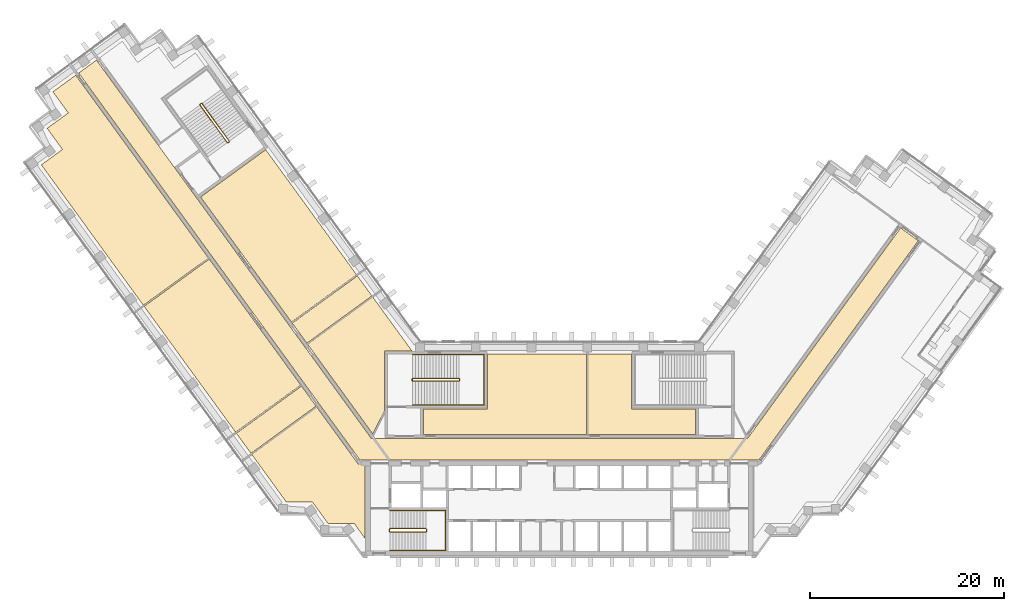
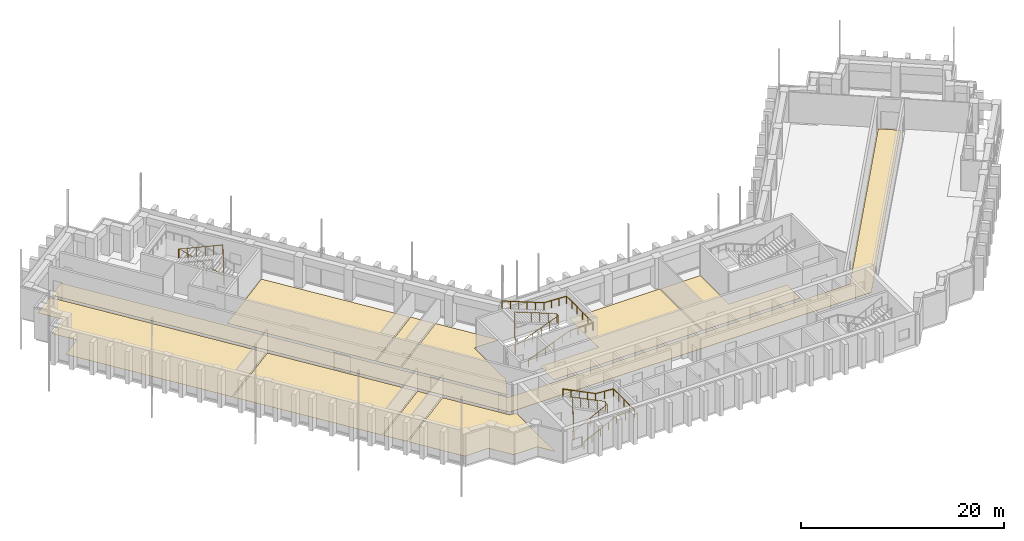
# One storey, part 15 of 16: 10 coverings, 5 railings.
"""IFC4 building model written with IfcOpenShell, lengths in metres."""

from ifc_helpers import new_model, si_unit, direction, frame, origin, origin_2d, place, context, subcontext, project, spatial, polyline, circle, outline, extrude, material, layer, layer_set, type_object, element, save


model = new_model("IFC4")

# Units and contexts
model_context = context("Model", 3, precision=1e-05, world=origin(), true_north=direction((0.0, 1.0)))
body_context = subcontext(model_context, "Body", "Model", "MODEL_VIEW")
ifc_project = project(units=[si_unit("LENGTHUNIT", "METRE"), si_unit("AREAUNIT", "SQUARE_METRE"), si_unit("VOLUMEUNIT", "CUBIC_METRE"), si_unit("PLANEANGLEUNIT", "RADIAN"), si_unit("MASSUNIT", "GRAM", prefix="KILO")], contexts=[model_context])

# Site, building, storey
site_placement = place(None, origin())
site = spatial("IfcSite", under=ifc_project, at=site_placement, CompositionType="ELEMENT")
building_placement = place(site_placement, origin())
building = spatial("IfcBuilding", under=site, at=building_placement, Name="Quipu Civic Tower", CompositionType="ELEMENT")
storey_placement = place(building_placement, frame((0.0, 0.0, 89.0)))
storey = spatial("IfcBuildingStorey", under=building, at=storey_placement, Name="L20", CompositionType="ELEMENT", Elevation=89.0)

# Coverings
ifc_material_1 = material(Name="Carpet tile on raised access floor")
ifc_layer_1 = layer(ifc_material_1, 0.02001953125)
ifc_layer_set_1 = layer_set([ifc_layer_1], Name="Carpet tile on raised access floor")
covering_type_1 = type_object("IfcCoveringType", Name="Carpet tile floor finish 20", PredefinedType="FLOORING", material=ifc_layer_set_1)
covering_1_placement = place(storey_placement, origin())
element("IfcCovering", 1, at=covering_1_placement, inside=storey, type_object=covering_type_1, Name="Carpet tile floor finish 20", PredefinedType="FLOORING", context=body_context, shape_type="SweptSolid", body=[
    extrude(outline(polyline([(2.948974609375, 1.52001953125), (2.948974609375, 9.830078125), (7.429931640625, 9.830078125), (7.430908203125, 4.179931640625), (14.030029296875, 4.179931640625), (14.030029296875, 1.52001953125), (2.948974609375, 1.52001953125)])), origin(), (0.0, 0.0, 1.0), 0.02001953125),
])
covering_2_placement = place(storey_placement, origin())
element("IfcCovering", 2, at=covering_2_placement, inside=storey, type_object=covering_type_1, Name="Carpet tile floor finish 20", PredefinedType="FLOORING", context=body_context, shape_type="SweptSolid", body=[
    extrude(outline(polyline([(-25.990966796875, 10.8330078125), (-19.26806640625, 15.716064453125), (-15.238037109375, 10.169921875), (-18.070068359375, 10.1689453125), (-18.070068359375, 3.94189453125), (-19.27197265625, 1.583984375), (-25.990966796875, 10.8330078125)])), origin(), (0.0, 0.0, 1.0), 0.02001953125),
])
covering_3_placement = place(storey_placement, origin())
element("IfcCovering", 3, at=covering_3_placement, inside=storey, type_object=covering_type_1, Name="Carpet tile floor finish 20", PredefinedType="FLOORING", context=body_context, shape_type="SweptSolid", body=[
    extrude(outline(polyline([(-31.758056640625, -0.5390625), (-25.034912109375, 4.344970703125), (-20.77490234375, -1.51904296875), (-20.070068359375, -1.52001953125), (-20.070068359375, -9.195068359375), (-21.196044921875, -7.64599609375), (-21.6630859375, -7.64599609375), (-21.666015625, -7.64404296875), (-21.669921875, -7.64111328125), (-21.675048828125, -7.639892578125), (-21.679931640625, -7.637939453125), (-21.68408203125, -7.636962890625), (-21.68896484375, -7.636962890625), (-21.694091796875, -7.635986328125), (-21.698974609375, -7.636962890625), (-21.7041015625, -7.637939453125), (-21.708984375, -7.638916015625), (-21.712890625, -7.64111328125), (-21.718017578125, -7.64306640625), (-21.721923828125, -7.64599609375), (-21.721923828125, -7.64599609375), (-23.89501953125, -7.64599609375), (-25.48193359375, -5.4619140625), (-28.181884765625, -5.4609375), (-31.758056640625, -0.5390625)])), origin(), (0.0, 0.0, 1.0), 0.02001953125),
])
covering_4_placement = place(storey_placement, origin())
element("IfcCovering", 4, at=covering_4_placement, inside=storey, type_object=covering_type_1, Name="Carpet tile floor finish 20", PredefinedType="FLOORING", context=body_context, shape_type="SweptSolid", body=[
    extrude(outline(polyline([(-53.47998046875, 29.35791015625), (-51.297119140625, 30.945068359375), (-52.883056640625, 33.12890625), (-50.698974609375, 34.717041015625), (-52.284912109375, 36.90087890625), (-49.930908203125, 38.611083984375), (-36.22705078125, 19.748046875), (-42.950927734375, 14.864990234375), (-53.47998046875, 29.35791015625)])), origin(), (0.0, 0.0, 1.0), 0.02001953125),
])
covering_5_placement = place(storey_placement, origin())
element("IfcCovering", 5, at=covering_5_placement, inside=storey, type_object=covering_type_1, Name="Carpet tile floor finish 20", PredefinedType="FLOORING", context=body_context, shape_type="SweptSolid", body=[
    extrude(outline(polyline([(-14.030029296875, 1.52001953125), (-14.030029296875, 4.179931640625), (-7.429931640625, 4.180908203125), (-7.429931640625, 9.830078125), (2.80908203125, 9.830078125), (2.80908203125, 1.52001953125), (-14.030029296875, 1.52001953125)])), origin(), (0.0, 0.0, 1.0), 0.02001953125),
])
covering_6_placement = place(storey_placement, origin())
element("IfcCovering", 6, at=covering_6_placement, inside=storey, type_object=covering_type_1, Name="Carpet tile floor finish 20", PredefinedType="FLOORING", context=body_context, shape_type="SweptSolid", body=[
    extrude(outline(polyline([(-37.0380859375, 26.0380859375), (-30.31494140625, 30.922119140625), (-20.93798828125, 18.013916015625), (-27.660888671875, 13.1298828125), (-37.0380859375, 26.0380859375)])), origin(), (0.0, 0.0, 1.0), 0.02001953125),
])
covering_7_placement = place(storey_placement, origin())
element("IfcCovering", 7, at=covering_7_placement, inside=storey, type_object=covering_type_1, Name="Carpet tile floor finish 20", PredefinedType="FLOORING", context=body_context, shape_type="SweptSolid", body=[
    extrude(outline(polyline([(-42.867919921875, 14.751953125), (-36.14404296875, 19.635009765625), (-26.705078125, 6.64208984375), (-33.427978515625, 1.758056640625), (-42.867919921875, 14.751953125)])), origin(), (0.0, 0.0, 1.0), 0.02001953125),
])
ifc_material_2 = material(Name="Ceramic floor tile")
ifc_layer_2 = layer(ifc_material_2, 0.030029296875)
ifc_layer_set_2 = layer_set([ifc_layer_2], Name="Ceramic floor tile")
covering_type_2 = type_object("IfcCoveringType", Name="Ceramic tile floor finish 30", PredefinedType="FLOORING", material=ifc_layer_set_2)
covering_8_placement = place(storey_placement, origin())
element("IfcCovering", 8, at=covering_8_placement, inside=storey, type_object=covering_type_2, Name="Ceramic tile floor finish 30", PredefinedType="FLOORING", context=body_context, shape_type="SweptSolid", body=[
    extrude(outline(polyline([(-27.577880859375, 13.01708984375), (-20.85498046875, 17.90087890625), (-19.35107421875, 15.8291015625), (-26.073974609375, 10.946044921875), (-27.577880859375, 13.01708984375)])), origin(), (0.0, 0.0, 1.0), 0.030029296875),
])
covering_9_placement = place(storey_placement, origin())
element("IfcCovering", 9, at=covering_9_placement, inside=storey, type_object=covering_type_2, Name="Ceramic tile floor finish 30", PredefinedType="FLOORING", context=body_context, shape_type="SweptSolid", body=[
    extrude(outline(polyline([(-33.344970703125, 1.64501953125), (-26.6220703125, 6.529052734375), (-25.117919921875, 4.4580078125), (-31.841064453125, -0.426025390625), (-33.344970703125, 1.64501953125)])), origin(), (0.0, 0.0, 1.0), 0.030029296875),
])

# Railings
ifc_material_3 = material(Name="Stainless steel", Category="steel")
railing_type_1 = type_object("IfcRailingType", Name="Stair guard 1100", PredefinedType="GUARDRAIL", material=ifc_material_3)
railing_1_placement = place(storey_placement, frame((-17.5, -8.550048828125, 0.15380859375)))
element("IfcRailing", 10, at=railing_1_placement, inside=storey, type_object=railing_type_1, Name="Stair 1 guard", PredefinedType="GUARDRAIL", context=body_context, shape_type="SweptSolid", body=[
    extrude(circle(Radius=0.02392578125, at=origin_2d()), frame((0.0, 0.0, 1.076171875), z_axis=(0.895751851347, 0.0, 0.444554407028), x_axis=(0.0, 1.0, 0.0)), (0.0, 0.0, 1.0), 4.15283203125),
    extrude(circle(Radius=0.02392578125, at=origin_2d()), frame((3.719970703125, 0.0, 2.92236328125), z_axis=(0.707106781187, 0.707106781187, 0.0), x_axis=(-0.707106781187, 0.707106781187, 0.0)), (0.0, 0.0, 1.0), 0.07080078125),
    extrude(circle(Radius=0.02392578125, at=origin_2d()), frame((3.77001953125, 0.050048828125, 2.92236328125), z_axis=(0.0, 1.0, 0.0), x_axis=(-1.0, 0.0, 0.0)), (0.0, 0.0, 1.0), 0.25),
    extrude(circle(Radius=0.02392578125, at=origin_2d()), frame((3.77001953125, 0.300048828125, 2.92236328125), z_axis=(-0.295599637079, 0.295599637079, 0.908428152975), x_axis=(-0.707106781187, -0.707106781187, 0.0)), (0.0, 0.0, 1.0), 0.16943359375),
    extrude(circle(Radius=0.02392578125, at=origin_2d()), frame((3.719970703125, 0.35009765625, 3.076171875), z_axis=(-0.895751851347, 0.0, 0.444554407028), x_axis=(0.0, -1.0, 0.0)), (0.0, 0.0, 1.0), 4.15283203125),
    extrude(circle(Radius=0.02392578125, at=origin_2d()), frame((0.0, 0.35009765625, 4.92236328125), z_axis=(-0.012476181752, -0.074796231092, -0.997120789425), x_axis=(0.986372223864, -0.164529134168, 0.0)), (0.0, 0.0, 1.0), 4.011474609375),
    extrude(circle(Radius=0.02392578125, at=origin_2d()), frame((-0.050048828125, 0.050048828125, 0.92236328125), z_axis=(0.0, 1.0, 0.0), x_axis=(-1.0, 0.0, 0.0)), (0.0, 0.0, 1.0), 0.25),
    extrude(circle(Radius=0.02099609375, at=origin_2d()), origin(), (0.0, 0.0, 1.0), 1.052001953125),
    extrude(circle(Radius=0.02099609375, at=origin_2d()), frame((0.929931640625, 0.0, 0.46142578125)), (0.0, 0.0, 1.0), 1.052001953125),
    extrude(circle(Radius=0.02099609375, at=origin_2d()), frame((1.85986328125, 0.0, 0.923095703125)), (0.0, 0.0, 1.0), 1.052001953125),
    extrude(circle(Radius=0.02099609375, at=origin_2d()), frame((2.7900390625, 0.0, 1.384765625)), (0.0, 0.0, 1.0), 1.052001953125),
    extrude(circle(Radius=0.02099609375, at=origin_2d()), frame((3.719970703125, 0.0, 1.84619140625)), (0.0, 0.0, 1.0), 1.052001953125),
    extrude(circle(Radius=0.02099609375, at=origin_2d()), frame((3.77001953125, 0.050048828125, 1.84619140625)), (0.0, 0.0, 1.0), 1.052001953125),
    extrude(circle(Radius=0.02099609375, at=origin_2d()), frame((3.77001953125, 0.300048828125, 1.84619140625)), (0.0, 0.0, 1.0), 1.052001953125),
    extrude(circle(Radius=0.02099609375, at=origin_2d()), frame((3.719970703125, 0.35009765625, 2.0)), (0.0, 0.0, 1.0), 1.052001953125),
    extrude(circle(Radius=0.02099609375, at=origin_2d()), frame((2.7900390625, 0.35009765625, 2.46142578125)), (0.0, 0.0, 1.0), 1.052001953125),
    extrude(circle(Radius=0.02099609375, at=origin_2d()), frame((1.85986328125, 0.35009765625, 2.923095703125)), (0.0, 0.0, 1.0), 1.052001953125),
    extrude(circle(Radius=0.02099609375, at=origin_2d()), frame((0.929931640625, 0.35009765625, 3.384765625)), (0.0, 0.0, 1.0), 1.052001953125),
    extrude(circle(Radius=0.02099609375, at=origin_2d()), frame((0.0, 0.35009765625, 3.84619140625)), (0.0, 0.0, 1.0), 1.052001953125),
    extrude(circle(Radius=0.02099609375, at=origin_2d()), frame((-0.012451171875, 0.275146484375, 2.84619140625)), (0.0, 0.0, 1.0), 1.052001953125),
    extrude(circle(Radius=0.02099609375, at=origin_2d()), frame((-0.02490234375, 0.2001953125, 1.84619140625)), (0.0, 0.0, 1.0), 1.052001953125),
    extrude(circle(Radius=0.02099609375, at=origin_2d()), frame((-0.03759765625, 0.125, 0.84619140625)), (0.0, 0.0, 1.0), 1.052001953125),
    extrude(circle(Radius=0.02099609375, at=origin_2d()), frame((-0.050048828125, 0.050048828125, -0.15380859375)), (0.0, 0.0, 1.0), 1.052001953125),
    extrude(circle(Radius=0.02099609375, at=origin_2d()), frame((-0.050048828125, 0.300048828125, -0.15380859375)), (0.0, 0.0, 1.0), 1.052001953125),
])
railing_2_placement = place(storey_placement, frame((-15.14990234375, 7.050048828125, 0.11767578125)))
element("IfcRailing", 11, at=railing_2_placement, inside=storey, type_object=railing_type_1, Name="Stair 3 guard", PredefinedType="GUARDRAIL", context=body_context, shape_type="SweptSolid", body=[
    extrude(circle(Radius=0.02392578125, at=origin_2d()), frame((0.0, 0.0, 1.076171875), z_axis=(0.930970042603, 0.0, 0.365095576219), x_axis=(0.0, 1.0, 0.0)), (0.0, 0.0, 1.0), 5.15576171875),
    extrude(circle(Radius=0.02392578125, at=origin_2d()), frame((4.7998046875, 0.0, 2.95849609375), z_axis=(0.707106781187, 0.707106781187, 0.0), x_axis=(-0.707106781187, 0.707106781187, 0.0)), (0.0, 0.0, 1.0), 0.07080078125),
    extrude(circle(Radius=0.02392578125, at=origin_2d()), frame((4.849853515625, 0.050048828125, 2.95849609375), z_axis=(0.0, 1.0, 0.0), x_axis=(-1.0, 0.0, 0.0)), (0.0, 0.0, 1.0), 0.14990234375),
    extrude(circle(Radius=0.02392578125, at=origin_2d()), frame((4.849853515625, 0.199951171875, 2.95849609375), z_axis=(-0.364463019033, 0.364463019033, 0.856932561824), x_axis=(-0.707106781187, -0.707106781187, 0.0)), (0.0, 0.0, 1.0), 0.13720703125),
    extrude(circle(Radius=0.02392578125, at=origin_2d()), frame((4.7998046875, 0.25, 3.076171875), z_axis=(-0.930970042603, 0.0, 0.365095576219), x_axis=(0.0, -1.0, 0.0)), (0.0, 0.0, 1.0), 5.15576171875),
    extrude(circle(Radius=0.02392578125, at=origin_2d()), frame((0.0, 0.25, 4.95849609375), z_axis=(-0.012495627992, -0.049921557685, -0.998674970829), x_axis=(0.970072785993, -0.242814311512, 0.0)), (0.0, 0.0, 1.0), 4.00537109375),
    extrude(circle(Radius=0.02392578125, at=origin_2d()), frame((-0.050048828125, 0.050048828125, 0.95849609375), z_axis=(0.0, 1.0, 0.0), x_axis=(-1.0, 0.0, 0.0)), (0.0, 0.0, 1.0), 0.14990234375),
    extrude(circle(Radius=0.02099609375, at=origin_2d()), origin(), (0.0, 0.0, 1.0), 1.052001953125),
    extrude(circle(Radius=0.02099609375, at=origin_2d()), frame((0.9599609375, 0.0, 0.37646484375)), (0.0, 0.0, 1.0), 1.052001953125),
    extrude(circle(Radius=0.02099609375, at=origin_2d()), frame((1.919921875, 0.0, 0.7529296875)), (0.0, 0.0, 1.0), 1.052001953125),
    extrude(circle(Radius=0.02099609375, at=origin_2d()), frame((2.8798828125, 0.0, 1.12939453125)), (0.0, 0.0, 1.0), 1.052001953125),
    extrude(circle(Radius=0.02099609375, at=origin_2d()), frame((3.83984375, 0.0, 1.505859375)), (0.0, 0.0, 1.0), 1.052001953125),
    extrude(circle(Radius=0.02099609375, at=origin_2d()), frame((4.7998046875, 0.0, 1.88232421875)), (0.0, 0.0, 1.0), 1.052001953125),
    extrude(circle(Radius=0.02099609375, at=origin_2d()), frame((4.849853515625, 0.050048828125, 1.88232421875)), (0.0, 0.0, 1.0), 1.052001953125),
    extrude(circle(Radius=0.02099609375, at=origin_2d()), frame((4.849853515625, 0.199951171875, 1.88232421875)), (0.0, 0.0, 1.0), 1.052001953125),
    extrude(circle(Radius=0.02099609375, at=origin_2d()), frame((4.7998046875, 0.25, 2.0)), (0.0, 0.0, 1.0), 1.052001953125),
    extrude(circle(Radius=0.02099609375, at=origin_2d()), frame((3.83984375, 0.25, 2.37646484375)), (0.0, 0.0, 1.0), 1.052001953125),
    extrude(circle(Radius=0.02099609375, at=origin_2d()), frame((2.8798828125, 0.25, 2.7529296875)), (0.0, 0.0, 1.0), 1.052001953125),
    extrude(circle(Radius=0.02099609375, at=origin_2d()), frame((1.919921875, 0.25, 3.12939453125)), (0.0, 0.0, 1.0), 1.052001953125),
    extrude(circle(Radius=0.02099609375, at=origin_2d()), frame((0.9599609375, 0.25, 3.505859375)), (0.0, 0.0, 1.0), 1.052001953125),
    extrude(circle(Radius=0.02099609375, at=origin_2d()), frame((0.0, 0.25, 3.88232421875)), (0.0, 0.0, 1.0), 1.052001953125),
    extrude(circle(Radius=0.02099609375, at=origin_2d()), frame((-0.012451171875, 0.199951171875, 2.88232421875)), (0.0, 0.0, 1.0), 1.052001953125),
    extrude(circle(Radius=0.02099609375, at=origin_2d()), frame((-0.02490234375, 0.14990234375, 1.88232421875)), (0.0, 0.0, 1.0), 1.052001953125),
    extrude(circle(Radius=0.02099609375, at=origin_2d()), frame((-0.03759765625, 0.10009765625, 0.88232421875)), (0.0, 0.0, 1.0), 1.052001953125),
    extrude(circle(Radius=0.02099609375, at=origin_2d()), frame((-0.050048828125, 0.050048828125, -0.11767578125)), (0.0, 0.0, 1.0), 1.052001953125),
    extrude(circle(Radius=0.02099609375, at=origin_2d()), frame((-0.050048828125, 0.199951171875, -0.11767578125)), (0.0, 0.0, 1.0), 1.052001953125),
])
railing_3_placement = place(storey_placement, frame((-34.078857421875, 31.79736328125, 0.11767578125)))
element("IfcRailing", 12, at=railing_3_placement, inside=storey, type_object=railing_type_1, Name="Stair 6 guard", PredefinedType="GUARDRAIL", context=body_context, shape_type="SweptSolid", body=[
    extrude(circle(Radius=0.02392578125, at=origin_2d()), frame((0.0, 0.0, 1.076171875), z_axis=(-0.54720100349, 0.753182689643, 0.365084781664), x_axis=(-0.809026317077, -0.587772420479, 0.0)), (0.0, 0.0, 1.0), 5.15576171875),
    extrude(circle(Radius=0.02392578125, at=origin_2d()), frame((-2.8212890625, 3.88330078125, 2.95849609375), z_axis=(-0.987846838465, 0.155430446612, 0.0), x_axis=(-0.155430446612, -0.987846838465, 0.0)), (0.0, 0.0, 1.0), 0.07080078125),
    extrude(circle(Radius=0.02392578125, at=origin_2d()), frame((-2.89111328125, 3.894287109375, 2.95849609375), z_axis=(-0.809649071907, -0.586914287065, 0.0), x_axis=(0.586914287065, -0.809649071907, 0.0)), (0.0, 0.0, 1.0), 0.150146484375),
    extrude(circle(Radius=0.02392578125, at=origin_2d()), frame((-3.0126953125, 3.80615234375, 2.95849609375), z_axis=(-0.080033047627, -0.508654480474, 0.857242865693), x_axis=(0.987846838465, -0.155430446612, 0.0)), (0.0, 0.0, 1.0), 0.13720703125),
    extrude(circle(Radius=0.02392578125, at=origin_2d()), frame((-3.023681640625, 3.736328125, 3.076171875), z_axis=(0.54720100349, -0.753182689643, 0.365084781664), x_axis=(0.809026317077, 0.587772420479, 0.0)), (0.0, 0.0, 1.0), 5.15576171875),
    extrude(circle(Radius=0.02392578125, at=origin_2d()), frame((-0.202392578125, -0.14697265625, 4.95849609375), z_axis=(0.047788004556, 0.019261491632, -0.998671768681), x_axis=(-0.373837031195, 0.92749440651, 0.0)), (0.0, 0.0, 1.0), 4.00537109375),
    extrude(circle(Radius=0.02392578125, at=origin_2d()), frame((-0.010986328125, -0.06982421875, 0.95849609375), z_axis=(-0.809087927272, -0.587687609145, 0.0), x_axis=(0.587687609145, -0.809087927272, 0.0)), (0.0, 0.0, 1.0), 0.14990234375),
    extrude(circle(Radius=0.02099609375, at=origin_2d()), origin(), (0.0, 0.0, 1.0), 1.052001953125),
    extrude(circle(Radius=0.02099609375, at=origin_2d()), frame((-0.564208984375, 0.776611328125, 0.37646484375)), (0.0, 0.0, 1.0), 1.052001953125),
    extrude(circle(Radius=0.02099609375, at=origin_2d()), frame((-1.12841796875, 1.55322265625, 0.7529296875)), (0.0, 0.0, 1.0), 1.052001953125),
    extrude(circle(Radius=0.02099609375, at=origin_2d()), frame((-1.69287109375, 2.330078125, 1.12939453125)), (0.0, 0.0, 1.0), 1.052001953125),
    extrude(circle(Radius=0.02099609375, at=origin_2d()), frame((-2.257080078125, 3.106689453125, 1.505859375)), (0.0, 0.0, 1.0), 1.052001953125),
    extrude(circle(Radius=0.02099609375, at=origin_2d()), frame((-2.8212890625, 3.88330078125, 1.88232421875)), (0.0, 0.0, 1.0), 1.052001953125),
    extrude(circle(Radius=0.02099609375, at=origin_2d()), frame((-2.89111328125, 3.894287109375, 1.88232421875)), (0.0, 0.0, 1.0), 1.052001953125),
    extrude(circle(Radius=0.02099609375, at=origin_2d()), frame((-3.0126953125, 3.80615234375, 1.88232421875)), (0.0, 0.0, 1.0), 1.052001953125),
    extrude(circle(Radius=0.02099609375, at=origin_2d()), frame((-3.023681640625, 3.736328125, 2.0)), (0.0, 0.0, 1.0), 1.052001953125),
    extrude(circle(Radius=0.02099609375, at=origin_2d()), frame((-2.45947265625, 2.959716796875, 2.37646484375)), (0.0, 0.0, 1.0), 1.052001953125),
    extrude(circle(Radius=0.02099609375, at=origin_2d()), frame((-1.895263671875, 2.18310546875, 2.7529296875)), (0.0, 0.0, 1.0), 1.052001953125),
    extrude(circle(Radius=0.02099609375, at=origin_2d()), frame((-1.330810546875, 1.40625, 3.12939453125)), (0.0, 0.0, 1.0), 1.052001953125),
    extrude(circle(Radius=0.02099609375, at=origin_2d()), frame((-0.7666015625, 0.629638671875, 3.505859375)), (0.0, 0.0, 1.0), 1.052001953125),
    extrude(circle(Radius=0.02099609375, at=origin_2d()), frame((-0.202392578125, -0.14697265625, 3.88232421875)), (0.0, 0.0, 1.0), 1.052001953125),
    extrude(circle(Radius=0.02099609375, at=origin_2d()), frame((-0.154541015625, -0.127685546875, 2.88232421875)), (0.0, 0.0, 1.0), 1.052001953125),
    extrude(circle(Radius=0.02099609375, at=origin_2d()), frame((-0.106689453125, -0.1083984375, 1.88232421875)), (0.0, 0.0, 1.0), 1.052001953125),
    extrude(circle(Radius=0.02099609375, at=origin_2d()), frame((-0.058837890625, -0.089111328125, 0.88232421875)), (0.0, 0.0, 1.0), 1.052001953125),
    extrude(circle(Radius=0.02099609375, at=origin_2d()), frame((-0.010986328125, -0.06982421875, -0.11767578125)), (0.0, 0.0, 1.0), 1.052001953125),
    extrude(circle(Radius=0.02099609375, at=origin_2d()), frame((-0.13232421875, -0.157958984375, -0.11767578125)), (0.0, 0.0, 1.0), 1.052001953125),
])
ifc_material_4 = material(Name="Stainless steel", Category="steel")
railing_type_2 = type_object("IfcRailingType", Name="Stair handrail", PredefinedType="HANDRAIL", material=ifc_material_4)
railing_4_placement = place(storey_placement, frame((-17.5, -10.449951171875, 0.15380859375)))
element("IfcRailing", 13, at=railing_4_placement, inside=storey, type_object=railing_type_2, Name="Stair 1 handrail", PredefinedType="HANDRAIL", context=body_context, shape_type="SweptSolid", body=[
    extrude(circle(Radius=0.02392578125, at=origin_2d()), frame((0.0, 0.0, 0.8759765625), z_axis=(0.895751851347, 0.0, 0.444554407028), x_axis=(0.0, 1.0, 0.0)), (0.0, 0.0, 1.0), 4.15283203125),
    extrude(circle(Radius=0.02392578125, at=origin_2d()), frame((3.719970703125, 0.0, 2.72216796875), z_axis=(1.0, 0.0, 0.0), x_axis=(0.0, 1.0, 0.0)), (0.0, 0.0, 1.0), 2.030029296875),
    extrude(circle(Radius=0.02392578125, at=origin_2d()), frame((5.75, 0.0, 2.72216796875), z_axis=(0.0, 1.0, 0.0), x_axis=(-1.0, 0.0, 0.0)), (0.0, 0.0, 1.0), 4.14990234375),
    extrude(circle(Radius=0.02392578125, at=origin_2d()), frame((5.75, 4.14990234375, 2.72216796875), z_axis=(-0.997142003663, 0.0, 0.075550145798), x_axis=(0.0, -1.0, 0.0)), (0.0, 0.0, 1.0), 2.035888671875),
    extrude(circle(Radius=0.02392578125, at=origin_2d()), frame((3.719970703125, 4.14990234375, 2.8759765625), z_axis=(-0.895751851347, 0.0, 0.444554407028), x_axis=(0.0, -1.0, 0.0)), (0.0, 0.0, 1.0), 4.15283203125),
    extrude(circle(Radius=0.02099609375, at=origin_2d()), origin(), (0.0, 0.0, 1.0), 0.851806640625),
    extrude(circle(Radius=0.02099609375, at=origin_2d()), frame((0.929931640625, 0.0, 0.46142578125)), (0.0, 0.0, 1.0), 0.851806640625),
    extrude(circle(Radius=0.02099609375, at=origin_2d()), frame((1.85986328125, 0.0, 0.923095703125)), (0.0, 0.0, 1.0), 0.851806640625),
    extrude(circle(Radius=0.02099609375, at=origin_2d()), frame((2.7900390625, 0.0, 1.384765625)), (0.0, 0.0, 1.0), 0.851806640625),
    extrude(circle(Radius=0.02099609375, at=origin_2d()), frame((3.719970703125, 0.0, 1.84619140625)), (0.0, 0.0, 1.0), 0.851806640625),
    extrude(circle(Radius=0.02099609375, at=origin_2d()), frame((4.73486328125, 0.0, 1.84619140625)), (0.0, 0.0, 1.0), 0.851806640625),
    extrude(circle(Radius=0.02099609375, at=origin_2d()), frame((5.75, 0.0, 1.84619140625)), (0.0, 0.0, 1.0), 0.851806640625),
    extrude(circle(Radius=0.02099609375, at=origin_2d()), frame((5.75, 1.03759765625, 1.84619140625)), (0.0, 0.0, 1.0), 0.851806640625),
    extrude(circle(Radius=0.02099609375, at=origin_2d()), frame((5.75, 2.074951171875, 1.84619140625)), (0.0, 0.0, 1.0), 0.851806640625),
    extrude(circle(Radius=0.02099609375, at=origin_2d()), frame((5.75, 3.1123046875, 1.84619140625)), (0.0, 0.0, 1.0), 0.851806640625),
    extrude(circle(Radius=0.02099609375, at=origin_2d()), frame((5.75, 4.14990234375, 1.84619140625)), (0.0, 0.0, 1.0), 0.851806640625),
    extrude(circle(Radius=0.02099609375, at=origin_2d()), frame((4.73486328125, 4.14990234375, 1.923095703125)), (0.0, 0.0, 1.0), 0.851806640625),
    extrude(circle(Radius=0.02099609375, at=origin_2d()), frame((3.719970703125, 4.14990234375, 2.0)), (0.0, 0.0, 1.0), 0.851806640625),
    extrude(circle(Radius=0.02099609375, at=origin_2d()), frame((2.7900390625, 4.14990234375, 2.46142578125)), (0.0, 0.0, 1.0), 0.851806640625),
    extrude(circle(Radius=0.02099609375, at=origin_2d()), frame((1.85986328125, 4.14990234375, 2.923095703125)), (0.0, 0.0, 1.0), 0.851806640625),
    extrude(circle(Radius=0.02099609375, at=origin_2d()), frame((0.929931640625, 4.14990234375, 3.384765625)), (0.0, 0.0, 1.0), 0.851806640625),
    extrude(circle(Radius=0.02099609375, at=origin_2d()), frame((0.0, 4.14990234375, 3.84619140625)), (0.0, 0.0, 1.0), 0.851806640625),
])
railing_5_placement = place(storey_placement, frame((-15.14990234375, 4.550048828125, 0.11767578125)))
element("IfcRailing", 14, at=railing_5_placement, inside=storey, type_object=railing_type_2, Name="Stair 3 handrail", PredefinedType="HANDRAIL", context=body_context, shape_type="SweptSolid", body=[
    extrude(circle(Radius=0.02392578125, at=origin_2d()), frame((0.0, 0.0, 0.8759765625), z_axis=(0.930970042603, 0.0, 0.365095576219), x_axis=(0.0, 1.0, 0.0)), (0.0, 0.0, 1.0), 5.15576171875),
    extrude(circle(Radius=0.02392578125, at=origin_2d()), frame((4.7998046875, 0.0, 2.75830078125), z_axis=(1.0, 0.0, 0.0), x_axis=(0.0, 1.0, 0.0)), (0.0, 0.0, 1.0), 2.550048828125),
    extrude(circle(Radius=0.02392578125, at=origin_2d()), frame((7.349853515625, 0.0, 2.75830078125), z_axis=(0.0, 1.0, 0.0), x_axis=(-1.0, 0.0, 0.0)), (0.0, 0.0, 1.0), 5.25),
    extrude(circle(Radius=0.02392578125, at=origin_2d()), frame((7.349853515625, 5.25, 2.75830078125), z_axis=(-0.998936948642, 0.0, 0.04609742549), x_axis=(0.0, -1.0, 0.0)), (0.0, 0.0, 1.0), 2.552734375),
    extrude(circle(Radius=0.02392578125, at=origin_2d()), frame((4.7998046875, 5.25, 2.8759765625), z_axis=(-0.930970042603, 0.0, 0.365095576219), x_axis=(0.0, -1.0, 0.0)), (0.0, 0.0, 1.0), 5.15576171875),
    extrude(circle(Radius=0.02099609375, at=origin_2d()), origin(), (0.0, 0.0, 1.0), 0.851806640625),
    extrude(circle(Radius=0.02099609375, at=origin_2d()), frame((0.9599609375, 0.0, 0.37646484375)), (0.0, 0.0, 1.0), 0.851806640625),
    extrude(circle(Radius=0.02099609375, at=origin_2d()), frame((1.919921875, 0.0, 0.7529296875)), (0.0, 0.0, 1.0), 0.851806640625),
    extrude(circle(Radius=0.02099609375, at=origin_2d()), frame((2.8798828125, 0.0, 1.12939453125)), (0.0, 0.0, 1.0), 0.851806640625),
    extrude(circle(Radius=0.02099609375, at=origin_2d()), frame((3.83984375, 0.0, 1.505859375)), (0.0, 0.0, 1.0), 0.851806640625),
    extrude(circle(Radius=0.02099609375, at=origin_2d()), frame((4.7998046875, 0.0, 1.88232421875)), (0.0, 0.0, 1.0), 0.851806640625),
    extrude(circle(Radius=0.02099609375, at=origin_2d()), frame((5.64990234375, 0.0, 1.88232421875)), (0.0, 0.0, 1.0), 0.851806640625),
    extrude(circle(Radius=0.02099609375, at=origin_2d()), frame((6.499755859375, 0.0, 1.88232421875)), (0.0, 0.0, 1.0), 0.851806640625),
    extrude(circle(Radius=0.02099609375, at=origin_2d()), frame((7.349853515625, 0.0, 1.88232421875)), (0.0, 0.0, 1.0), 0.851806640625),
    extrude(circle(Radius=0.02099609375, at=origin_2d()), frame((7.349853515625, 1.050048828125, 1.88232421875)), (0.0, 0.0, 1.0), 0.851806640625),
    extrude(circle(Radius=0.02099609375, at=origin_2d()), frame((7.349853515625, 2.10009765625, 1.88232421875)), (0.0, 0.0, 1.0), 0.851806640625),
    extrude(circle(Radius=0.02099609375, at=origin_2d()), frame((7.349853515625, 3.14990234375, 1.88232421875)), (0.0, 0.0, 1.0), 0.851806640625),
    extrude(circle(Radius=0.02099609375, at=origin_2d()), frame((7.349853515625, 4.199951171875, 1.88232421875)), (0.0, 0.0, 1.0), 0.851806640625),
    extrude(circle(Radius=0.02099609375, at=origin_2d()), frame((7.349853515625, 5.25, 1.88232421875)), (0.0, 0.0, 1.0), 0.851806640625),
    extrude(circle(Radius=0.02099609375, at=origin_2d()), frame((6.499755859375, 5.25, 1.921630859375)), (0.0, 0.0, 1.0), 0.851806640625),
    extrude(circle(Radius=0.02099609375, at=origin_2d()), frame((5.64990234375, 5.25, 1.960693359375)), (0.0, 0.0, 1.0), 0.851806640625),
    extrude(circle(Radius=0.02099609375, at=origin_2d()), frame((4.7998046875, 5.25, 2.0)), (0.0, 0.0, 1.0), 0.851806640625),
    extrude(circle(Radius=0.02099609375, at=origin_2d()), frame((3.83984375, 5.25, 2.37646484375)), (0.0, 0.0, 1.0), 0.851806640625),
    extrude(circle(Radius=0.02099609375, at=origin_2d()), frame((2.8798828125, 5.25, 2.7529296875)), (0.0, 0.0, 1.0), 0.851806640625),
    extrude(circle(Radius=0.02099609375, at=origin_2d()), frame((1.919921875, 5.25, 3.12939453125)), (0.0, 0.0, 1.0), 0.851806640625),
    extrude(circle(Radius=0.02099609375, at=origin_2d()), frame((0.9599609375, 5.25, 3.505859375)), (0.0, 0.0, 1.0), 0.851806640625),
    extrude(circle(Radius=0.02099609375, at=origin_2d()), frame((0.0, 5.25, 3.88232421875)), (0.0, 0.0, 1.0), 0.851806640625),
])

# Covering
ifc_material_5 = material(Name="Terrazzo floor finish")
ifc_layer_3 = layer(ifc_material_5, 0.0400390625)
ifc_layer_set_3 = layer_set([ifc_layer_3], Name="Terrazzo floor finish")
covering_type_3 = type_object("IfcCoveringType", Name="Terrazzo floor finish 40", PredefinedType="FLOORING", material=ifc_layer_set_3)
covering_10_placement = place(storey_placement, origin())
element("IfcCovering", 15, at=covering_10_placement, inside=storey, type_object=covering_type_3, Name="Terrazzo floor finish 40", PredefinedType="FLOORING", context=body_context, shape_type="SweptSolid", body=[
    extrude(outline(polyline([(20.574951171875, -1.1298828125), (-20.574951171875, -1.1298828125), (-49.615966796875, 38.840087890625), (-47.787109375, 40.16796875), (-19.425048828125, 1.1298828125), (19.425048828125, 1.1298828125), (35.208984375, 22.85498046875), (37.037109375, 21.527099609375), (20.574951171875, -1.1298828125)])), origin(), (0.0, 0.0, 1.0), 0.0400390625),
])

save(model, "model.ifc")
